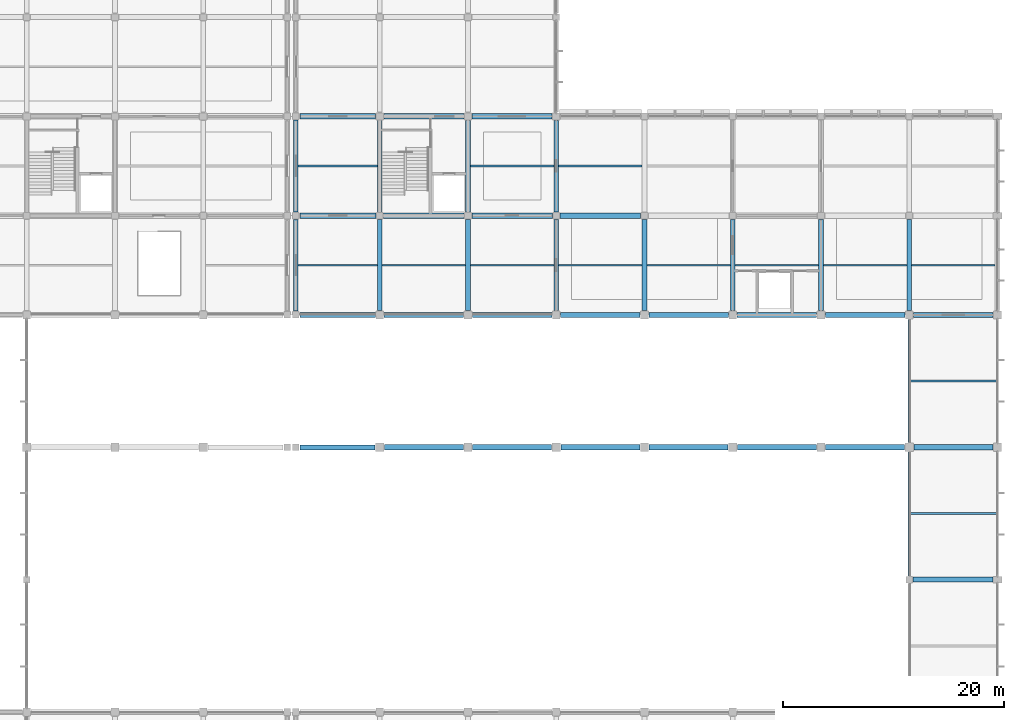
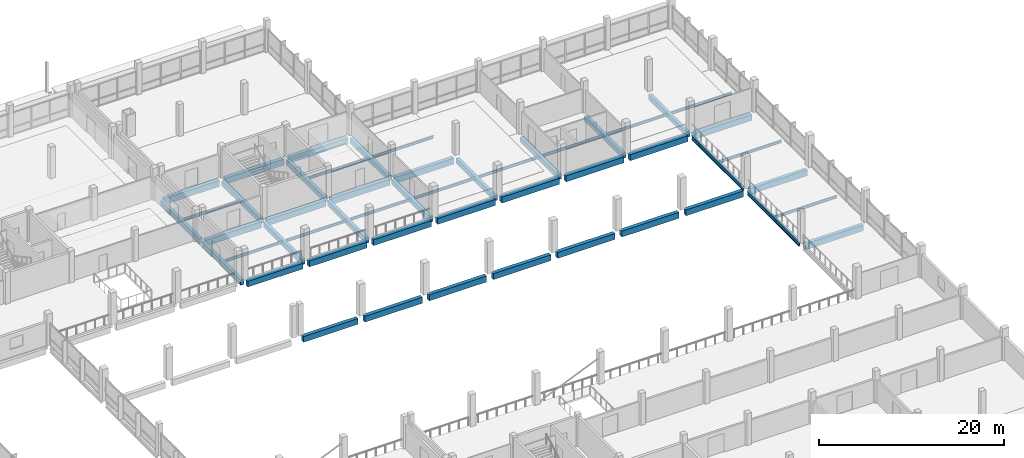
# One storey, part 26 of 57: 51 beams.
"""IFC4 building model written with IfcOpenShell, lengths in metres."""

import ifcopenshell
import ifcopenshell.guid

model = None  # the IFC model being written
_history = None  # IfcOwnerHistory: only IFC2X3 demands one
_inside = {}  # id of a spatial element -> (the spatial element, [elements in it])
_under = {}  # id of a project, library or spatial element -> (it, [spatial elements below it])
_declared = {}  # id of a project -> (the project, [libraries it declares])
_typed = {}  # id of a type object -> (the type object, [elements of that type])
_made_of = {}  # id of a material, layer set ... -> (it, [elements and type objects made of it])


def new_model(schema):
    """Start an empty IFC model of exactly this schema.

    Asked for "IFC4X3", IfcOpenShell would pick the latest addendum, in which some entities
    have other attributes; the version numbers below select the first issue.
    IFC2X3 requires an IfcOwnerHistory on every rooted entity: one is made here for all.
    """
    global model, _history
    if schema == "IFC4X3":
        model = ifcopenshell.file(schema_version=(4, 3, 0, 0))
    else:
        model = ifcopenshell.file(schema=schema)
    _inside.clear()
    _under.clear()
    _declared.clear()
    _typed.clear()
    _made_of.clear()
    _history = None
    if model.schema == "IFC2X3":
        org = make("IfcOrganization", Name="unknown")
        user = make(
            "IfcPersonAndOrganization",
            ThePerson=make("IfcPerson", FamilyName="unknown"),
            TheOrganization=org,
        )
        app = make(
            "IfcApplication",
            ApplicationDeveloper=org,
            Version="unknown",
            ApplicationFullName="unknown",
            ApplicationIdentifier="unknown",
        )
        _history = make(
            "IfcOwnerHistory",
            OwningUser=user,
            OwningApplication=app,
            ChangeAction="ADDED",
            CreationDate=0,
        )
    return model


def make(cls, **values):
    """One entity of the class cls with the attributes given. An attribute that is None is left unset."""
    return model.create_entity(
        cls, **{name: value for name, value in values.items() if value is not None}
    )


def rooted(cls, **values):
    """An entity with a GlobalId (a new one), such as an element, a storey or a relation."""
    return make(cls, GlobalId=ifcopenshell.guid.new(), OwnerHistory=_history, **values)


def si_unit(unit_type, name, prefix=None):
    """IfcSIUnit, for example si_unit("LENGTHUNIT", "METRE", prefix="MILLI")."""
    return make("IfcSIUnit", UnitType=unit_type, Prefix=prefix, Name=name)


def assignment(units):
    """IfcUnitAssignment: the units of a project."""
    return None if units is None else make("IfcUnitAssignment", Units=units)


def point(xyz):
    """IfcCartesianPoint."""
    return None if xyz is None else make("IfcCartesianPoint", Coordinates=xyz)


def direction(xyz):
    """IfcDirection."""
    return None if xyz is None else make("IfcDirection", DirectionRatios=xyz)


def frame(location, z_axis=None, x_axis=None):
    """IfcAxis2Placement3D, a coordinate frame: its origin and axes. An axis left out is left unset."""
    return make(
        "IfcAxis2Placement3D",
        Location=point(location),
        Axis=direction(z_axis),
        RefDirection=direction(x_axis),
    )


def frame_2d(location, x_axis=None):
    """IfcAxis2Placement2D, a coordinate frame in the plane: its origin and x axis."""
    return make(
        "IfcAxis2Placement2D", Location=point(location), RefDirection=direction(x_axis)
    )


def origin():
    """The frame at (0, 0, 0) with its axes left unset."""
    return frame((0.0, 0.0, 0.0))


def origin_2d():
    """The frame at (0, 0) in the plane with its x axis left unset."""
    return frame_2d((0.0, 0.0))


def place(relative_to, where):
    """IfcLocalPlacement: puts the frame where relative to a parent placement (None: the world)."""
    return make(
        "IfcLocalPlacement", PlacementRelTo=relative_to, RelativePlacement=where
    )


def context(
    kind, dimensions, precision=None, world=None, true_north=None, identifier=None
):
    """IfcGeometricRepresentationContext, for example the 3D "Model" context."""
    return make(
        "IfcGeometricRepresentationContext",
        ContextIdentifier=identifier,
        ContextType=kind,
        CoordinateSpaceDimension=dimensions,
        Precision=precision,
        WorldCoordinateSystem=world,
        TrueNorth=true_north,
    )


def subcontext(parent, identifier, kind, view, scale=None):
    """IfcGeometricRepresentationSubContext, for example "Body" below "Model"."""
    return make(
        "IfcGeometricRepresentationSubContext",
        ContextIdentifier=identifier,
        ContextType=kind,
        ParentContext=parent,
        TargetScale=scale,
        TargetView=view,
    )


def project(units=None, contexts=None):
    """IfcProject with its units and contexts."""
    return rooted(
        "IfcProject",
        Name="project",
        RepresentationContexts=contexts,
        UnitsInContext=assignment(units),
    )


def spatial(cls, under=None, at=None, **own):
    """A site, building, storey or space (cls), placed at a placement, below another one or the project."""
    s = rooted(cls, ObjectPlacement=at, **own)
    if under is not None:
        _under.setdefault(under.id(), (under, []))[1].append(s)
    return s


def profile(cls, at=None, kind="AREA", **sizes):
    """A parametric profile (cls). Its sizes go by their IFC names, for example OverallWidth=200.0."""
    return make(cls, ProfileType=kind, Position=at, **sizes)


def rectangle(**sizes):
    """IfcRectangleProfileDef."""
    return profile("IfcRectangleProfileDef", **sizes)


def i_section(**sizes):
    """IfcIShapeProfileDef."""
    return profile("IfcIShapeProfileDef", **sizes)


def extrude(swept, where, along, depth):
    """IfcExtrudedAreaSolid: the profile swept, set in the frame where, extruded along a direction by depth."""
    return make(
        "IfcExtrudedAreaSolid",
        SweptArea=swept,
        Position=where,
        ExtrudedDirection=direction(along),
        Depth=depth,
    )


def shape(context_of_items, identifier, shape_type, items):
    """IfcShapeRepresentation: the items that make up one representation, for example the "Body"."""
    return make(
        "IfcShapeRepresentation",
        ContextOfItems=context_of_items,
        RepresentationIdentifier=identifier,
        RepresentationType=shape_type,
        Items=items,
    )


def material(Name=None, Category=None):
    """IfcMaterial."""
    return make("IfcMaterial", Name=Name, Category=Category)


def material_profile(
    of_material, cross_section, Name=None, Category=None, Priority=None
):
    """IfcMaterialProfile: a cross section and its material."""
    return make(
        "IfcMaterialProfile",
        Name=Name,
        Material=of_material,
        Profile=cross_section,
        Priority=Priority,
        Category=Category,
    )


def profile_set(profiles, Name=None, composite=None):
    """IfcMaterialProfileSet."""
    return make(
        "IfcMaterialProfileSet",
        Name=Name,
        MaterialProfiles=profiles,
        CompositeProfile=composite,
    )


def made_of(thing, what):
    """Note that an element or type object is made of a material, layer set ...; save() writes the relation."""
    if what is not None:
        _made_of.setdefault(what.id(), (what, []))[1].append(thing)
    return thing


def type_object(cls, material=None, **own):
    """A type object (cls), such as IfcWallType, which elements share."""
    return made_of(rooted(cls, **own), material)


def element(
    cls,
    number,
    at=None,
    inside=None,
    cuts=None,
    type_object=None,
    material=None,
    context=None,
    identifier="Body",
    shape_type=None,
    held_by="IfcProductDefinitionShape",
    body=None,
    shapes=None,
    **own,
):
    """One element of the class cls, such as IfcWall. Its Tag is "e" and its number.

    at: its placement. inside: the storey or other place that contains it. cuts: it is an
    opening in that element (IfcRelVoidsElement). A single representation is given by context,
    identifier, shape_type and body (its items); several are given by shapes. held_by: the class
    of the entity that holds the representations. save() writes the other relations.
    """
    e = rooted(cls, Tag="e%d" % number, ObjectPlacement=at, **own)
    if body is not None:
        shapes = [shape(context, identifier, shape_type, body)]
    if shapes is not None:
        e.Representation = make(held_by, Representations=shapes)
    if inside is not None:
        _inside.setdefault(inside.id(), (inside, []))[1].append(e)
    if cuts is not None:
        rooted(
            "IfcRelVoidsElement", RelatingBuildingElement=cuts, RelatedOpeningElement=e
        )
    if type_object is not None:
        _typed.setdefault(type_object.id(), (type_object, []))[1].append(e)
    return made_of(e, material)


def aggregate(whole, parts):
    """IfcRelAggregates: a whole, such as a stair, and the parts it consists of."""
    return rooted("IfcRelAggregates", RelatingObject=whole, RelatedObjects=parts)


def save(model, path):
    """Write the relations noted so far, then the file.

    IfcRelAggregates (storeys below a building ...), IfcRelContainedInSpatialStructure (elements
    in a storey), IfcRelDefinesByType, IfcRelAssociatesMaterial and IfcRelDeclares: one each for
    every whole, place, type object, material and project.
    """
    for whole, parts in _under.values():
        aggregate(whole, parts)
    for where, things in _inside.values():
        rooted(
            "IfcRelContainedInSpatialStructure",
            RelatedElements=things,
            RelatingStructure=where,
        )
    for kind, things in _typed.values():
        rooted("IfcRelDefinesByType", RelatedObjects=things, RelatingType=kind)
    for what, things in _made_of.values():
        rooted("IfcRelAssociatesMaterial", RelatedObjects=things, RelatingMaterial=what)
    for by, libraries in _declared.values():
        rooted("IfcRelDeclares", RelatingContext=by, RelatedDefinitions=libraries)
    model.write(path)


model = new_model("IFC4")

# Units and contexts
model_context = context("Model", 3, precision=1e-05, world=origin(), true_north=direction((0.0, 1.0)))
body_context = subcontext(model_context, "Body", "Model", "MODEL_VIEW")
ifc_project = project(units=[si_unit("LENGTHUNIT", "METRE"), si_unit("AREAUNIT", "SQUARE_METRE"), si_unit("VOLUMEUNIT", "CUBIC_METRE"), si_unit("PLANEANGLEUNIT", "RADIAN"), si_unit("MASSUNIT", "GRAM", prefix="KILO"), si_unit("THERMODYNAMICTEMPERATUREUNIT", "KELVIN"), si_unit("POWERUNIT", "WATT")], contexts=[model_context])

# Site, building, storey
site_placement = place(None, origin())
site = spatial("IfcSite", under=ifc_project, at=site_placement, CompositionType="ELEMENT")
building_placement = place(site_placement, origin())
building = spatial("IfcBuilding", under=site, at=building_placement, Name="Kronsvod Quay Wholesale Market", CompositionType="ELEMENT")
storey_placement = place(building_placement, frame((0.0, 0.0, 4.800048828125)))
storey = spatial("IfcBuildingStorey", under=building, at=storey_placement, Name="L01", CompositionType="ELEMENT", Elevation=4.800048828125)

# Beams
ifc_material_1 = material(Name="Precast concrete C40/50", Category="concrete")
ifc_material_profile_1 = material_profile(ifc_material_1, rectangle(XDim=0.419921875, YDim=0.679931640625, at=origin_2d()), Name="PB-05")
ifc_profile_set_1 = profile_set([ifc_material_profile_1], Name="Precast concrete C40/50")
beam_type_1 = type_object("IfcBeamType", Name="Beam_PCB420x680", PredefinedType="BEAM", material=ifc_profile_set_1)
for number, where, z_axis, x_axis, name in (
    (1, (128.39990234375, 90.35009765625, -0.64013671875), (0.0, 1.0, 0.0), (-1.0, 0.0, 0.0), "BMY-L01-1284-900"),
    (2, (128.39990234375, 99.35009765625, -0.64013671875), (0.0, 1.0, 0.0), (-1.0, 0.0, 0.0), "BMY-L01-1284-990"),
):
    element("IfcBeam", number, at=place(storey_placement, frame(where, z_axis=z_axis, x_axis=x_axis)), inside=storey, type_object=beam_type_1, Name=name, PredefinedType="BEAM", context=body_context, shape_type="SweptSolid", body=[
        extrude(rectangle(XDim=0.419921875, YDim=0.679931640625, at=origin_2d()), origin(), (0.0, 0.0, 1.0), 8.2998046875),
    ])
beam_1_placement = place(storey_placement, frame((136.0, 90.39990234375, -0.64013671875), z_axis=(0.0, 1.0, 0.0), x_axis=(-1.0, 0.0, 0.0)))
element("IfcBeam", 3, at=beam_1_placement, inside=storey, type_object=beam_type_1, Name="BMY-L01-1360-900", PredefinedType="BEAM", context=body_context, shape_type="SweptSolid", body=[
    extrude(rectangle(XDim=0.419921875, YDim=0.679931640625, at=origin_2d()), origin(), (0.0, 0.0, 1.0), 8.25),
])
beam_2_placement = place(storey_placement, frame((136.0, 99.35009765625, -0.64013671875), z_axis=(0.0, 1.0, 0.0), x_axis=(-1.0, 0.0, 0.0)))
element("IfcBeam", 4, at=beam_2_placement, inside=storey, type_object=beam_type_1, Name="BMY-L01-1360-990", PredefinedType="BEAM", context=body_context, shape_type="SweptSolid", body=[
    extrude(rectangle(XDim=0.419921875, YDim=0.679931640625, at=origin_2d()), origin(), (0.0, 0.0, 1.0), 8.27490234375),
])
beam_3_placement = place(storey_placement, frame((144.0, 90.39990234375, -0.64013671875), z_axis=(0.0, 1.0, 0.0), x_axis=(-1.0, 0.0, 0.0)))
element("IfcBeam", 5, at=beam_3_placement, inside=storey, type_object=beam_type_1, Name="BMY-L01-1440-900", PredefinedType="BEAM", context=body_context, shape_type="SweptSolid", body=[
    extrude(rectangle(XDim=0.419921875, YDim=0.679931640625, at=origin_2d()), origin(), (0.0, 0.0, 1.0), 8.25),
])
beam_4_placement = place(storey_placement, frame((144.0, 99.35009765625, -0.64013671875), z_axis=(0.0, 1.0, 0.0), x_axis=(-1.0, 0.0, 0.0)))
element("IfcBeam", 6, at=beam_4_placement, inside=storey, type_object=beam_type_1, Name="BMY-L01-1440-990", PredefinedType="BEAM", context=body_context, shape_type="SweptSolid", body=[
    extrude(rectangle(XDim=0.419921875, YDim=0.679931640625, at=origin_2d()), origin(), (0.0, 0.0, 1.0), 8.27490234375),
])
beam_5_placement = place(storey_placement, frame((152.0, 90.39990234375, -0.64013671875), z_axis=(0.0, 1.0, 0.0), x_axis=(-1.0, 0.0, 0.0)))
element("IfcBeam", 7, at=beam_5_placement, inside=storey, type_object=beam_type_1, Name="BMY-L01-1520-900", PredefinedType="BEAM", context=body_context, shape_type="SweptSolid", body=[
    extrude(rectangle(XDim=0.419921875, YDim=0.679931640625, at=origin_2d()), origin(), (0.0, 0.0, 1.0), 8.25),
])
beam_6_placement = place(storey_placement, frame((152.0, 99.35009765625, -0.64013671875), z_axis=(0.0, 1.0, 0.0), x_axis=(-1.0, 0.0, 0.0)))
element("IfcBeam", 8, at=beam_6_placement, inside=storey, type_object=beam_type_1, Name="BMY-L01-1520-990", PredefinedType="BEAM", context=body_context, shape_type="SweptSolid", body=[
    extrude(rectangle(XDim=0.419921875, YDim=0.679931640625, at=origin_2d()), origin(), (0.0, 0.0, 1.0), 8.27490234375),
])
for number, where, z_axis, x_axis, name in (
    (9, (160.0, 90.39990234375, -0.64013671875), (0.0, 1.0, 0.0), (-1.0, 0.0, 0.0), "BMY-L01-1600-900"),
    (10, (168.0, 90.39990234375, -0.64013671875), (0.0, 1.0, 0.0), (-1.0, 0.0, 0.0), "BMY-L01-1680-900"),
    (11, (176.0, 90.39990234375, -0.64013671875), (0.0, 1.0, 0.0), (-1.0, 0.0, 0.0), "BMY-L01-1760-900"),
    (12, (184.0, 90.39990234375, -0.64013671875), (0.0, 1.0, 0.0), (-1.0, 0.0, 0.0), "BMY-L01-1840-900"),
):
    element("IfcBeam", number, at=place(storey_placement, frame(where, z_axis=z_axis, x_axis=x_axis)), inside=storey, type_object=beam_type_1, Name=name, PredefinedType="BEAM", context=body_context, shape_type="SweptSolid", body=[
        extrude(rectangle(XDim=0.419921875, YDim=0.679931640625, at=origin_2d()), origin(), (0.0, 0.0, 1.0), 8.25),
    ])
ifc_material_2 = material(Name="Precast concrete C40/50", Category="concrete")
ifc_material_profile_2 = material_profile(ifc_material_2, rectangle(XDim=0.449951171875, YDim=0.75, at=origin_2d()), Name="PCB450x750")
ifc_profile_set_2 = profile_set([ifc_material_profile_2], Name="Precast concrete C40/50")
beam_type_2 = type_object("IfcBeamType", Name="Beam_PCB450x750", PredefinedType="BEAM", material=ifc_profile_set_2)
beam_7_placement = place(storey_placement, frame((128.75, 78.0, -0.675048828125), z_axis=(1.0, 0.0, 0.0), x_axis=(0.0, 1.0, 0.0)))
element("IfcBeam", 13, at=beam_7_placement, inside=storey, type_object=beam_type_2, Name="BMX-L01-1284-780", PredefinedType="BEAM", context=body_context, shape_type="SweptSolid", body=[
    extrude(rectangle(XDim=0.449951171875, YDim=0.75, at=origin_2d()), origin(), (0.0, 0.0, 1.0), 6.824951171875),
])
beam_8_placement = place(storey_placement, frame((128.75, 90.0, -0.675048828125), z_axis=(1.0, 0.0, 0.0), x_axis=(0.0, 1.0, 0.0)))
element("IfcBeam", 14, at=beam_8_placement, inside=storey, type_object=beam_type_2, Name="BMX-L01-1284-900", PredefinedType="BEAM", context=body_context, shape_type="SweptSolid", body=[
    extrude(rectangle(XDim=0.449951171875, YDim=0.75, at=origin_2d()), origin(), (0.0, 0.0, 1.0), 6.85009765625),
])
ifc_material_3 = material(Name="Precast concrete C40/50", Category="concrete")
ifc_material_profile_3 = material_profile(ifc_material_3, rectangle(XDim=0.4599609375, YDim=0.780029296875, at=origin_2d()), Name="PB-03")
ifc_profile_set_3 = profile_set([ifc_material_profile_3], Name="Precast concrete C40/50")
beam_type_3 = type_object("IfcBeamType", Name="Beam_PCB460x780", PredefinedType="BEAM", material=ifc_profile_set_3)
beam_9_placement = place(storey_placement, frame((184.35009765625, 66.0, -0.68994140625), z_axis=(1.0, 0.0, 0.0), x_axis=(0.0, 1.0, 0.0)))
element("IfcBeam", 15, at=beam_9_placement, inside=storey, type_object=beam_type_3, Name="BMX-L01-1840-660", PredefinedType="BEAM", context=body_context, shape_type="SweptSolid", body=[
    extrude(rectangle(XDim=0.4599609375, YDim=0.780029296875, at=origin_2d()), origin(), (0.0, 0.0, 1.0), 7.25),
])
for number, where, z_axis, x_axis, name in (
    (16, (136.425048828125, 78.0, -0.68994140625), (1.0, 0.0, 0.0), (0.0, 1.0, 0.0), "BMX-L01-1360-780"),
    (17, (144.425048828125, 78.0, -0.68994140625), (1.0, 0.0, 0.0), (0.0, 1.0, 0.0), "BMX-L01-1440-780"),
    (18, (152.425048828125, 78.0, -0.68994140625), (1.0, 0.0, 0.0), (0.0, 1.0, 0.0), "BMX-L01-1520-780"),
    (19, (160.425048828125, 78.0, -0.68994140625), (1.0, 0.0, 0.0), (0.0, 1.0, 0.0), "BMX-L01-1600-780"),
    (20, (168.425048828125, 78.0, -0.68994140625), (1.0, 0.0, 0.0), (0.0, 1.0, 0.0), "BMX-L01-1680-780"),
    (21, (176.425048828125, 78.0, -0.68994140625), (1.0, 0.0, 0.0), (0.0, 1.0, 0.0), "BMX-L01-1760-780"),
    (22, (184.425048828125, 78.0, -0.68994140625), (1.0, 0.0, 0.0), (0.0, 1.0, 0.0), "BMX-L01-1840-780"),
):
    element("IfcBeam", number, at=place(storey_placement, frame(where, z_axis=z_axis, x_axis=x_axis)), inside=storey, type_object=beam_type_3, Name=name, PredefinedType="BEAM", context=body_context, shape_type="SweptSolid", body=[
        extrude(rectangle(XDim=0.4599609375, YDim=0.780029296875, at=origin_2d()), origin(), (0.0, 0.0, 1.0), 7.14990234375),
    ])
for number, where, z_axis, x_axis, name in (
    (23, (136.39990234375, 90.0, -0.68994140625), (1.0, 0.0, 0.0), (0.0, 1.0, 0.0), "BMX-L01-1360-900"),
    (24, (144.39990234375, 90.0, -0.68994140625), (1.0, 0.0, 0.0), (0.0, 1.0, 0.0), "BMX-L01-1440-900"),
    (25, (152.39990234375, 90.0, -0.68994140625), (1.0, 0.0, 0.0), (0.0, 1.0, 0.0), "BMX-L01-1520-900"),
    (26, (160.39990234375, 90.0, -0.68994140625), (1.0, 0.0, 0.0), (0.0, 1.0, 0.0), "BMX-L01-1600-900"),
    (27, (168.39990234375, 90.0, -0.68994140625), (1.0, 0.0, 0.0), (0.0, 1.0, 0.0), "BMX-L01-1680-900"),
    (28, (176.39990234375, 90.0, -0.68994140625), (1.0, 0.0, 0.0), (0.0, 1.0, 0.0), "BMX-L01-1760-900"),
    (29, (184.39990234375, 90.0, -0.68994140625), (1.0, 0.0, 0.0), (0.0, 1.0, 0.0), "BMX-L01-1840-900"),
):
    element("IfcBeam", number, at=place(storey_placement, frame(where, z_axis=z_axis, x_axis=x_axis)), inside=storey, type_object=beam_type_3, Name=name, PredefinedType="BEAM", context=body_context, shape_type="SweptSolid", body=[
        extrude(rectangle(XDim=0.4599609375, YDim=0.780029296875, at=origin_2d()), origin(), (0.0, 0.0, 1.0), 7.2001953125),
    ])
ifc_material_4 = material(Name="Precast concrete C40/50", Category="concrete")
ifc_material_profile_4 = material_profile(ifc_material_4, rectangle(XDim=0.47998046875, YDim=0.800048828125, at=origin_2d()), Name="PB-04")
ifc_profile_set_4 = profile_set([ifc_material_profile_4], Name="Precast concrete C40/50")
beam_type_4 = type_object("IfcBeamType", Name="Beam_PCB480x800", PredefinedType="BEAM", material=ifc_profile_set_4)
beam_10_placement = place(storey_placement, frame((128.75, 99.0, -0.699951171875), z_axis=(1.0, 0.0, 0.0), x_axis=(0.0, 1.0, 0.0)))
element("IfcBeam", 30, at=beam_10_placement, inside=storey, type_object=beam_type_4, Name="BMX-L01-1284-990", PredefinedType="BEAM", context=body_context, shape_type="SweptSolid", body=[
    extrude(rectangle(XDim=0.47998046875, YDim=0.800048828125, at=origin_2d()), origin(), (0.0, 0.0, 1.0), 6.89990234375),
])
for number, where, z_axis, x_axis, name in (
    (31, (136.35009765625, 99.0, -0.699951171875), (1.0, 0.0, 0.0), (0.0, 1.0, 0.0), "BMX-L01-1360-990"),
    (32, (144.35009765625, 99.0, -0.699951171875), (1.0, 0.0, 0.0), (0.0, 1.0, 0.0), "BMX-L01-1440-990"),
    (33, (152.35009765625, 99.0, -0.699951171875), (1.0, 0.0, 0.0), (0.0, 1.0, 0.0), "BMX-L01-1520-990"),
):
    element("IfcBeam", number, at=place(storey_placement, frame(where, z_axis=z_axis, x_axis=x_axis)), inside=storey, type_object=beam_type_4, Name=name, PredefinedType="BEAM", context=body_context, shape_type="SweptSolid", body=[
        extrude(rectangle(XDim=0.47998046875, YDim=0.800048828125, at=origin_2d()), origin(), (0.0, 0.0, 1.0), 7.2998046875),
    ])
beam_11_placement = place(storey_placement, frame((128.75, 108.0, -0.699951171875), z_axis=(1.0, 0.0, 0.0), x_axis=(0.0, 1.0, 0.0)))
element("IfcBeam", 34, at=beam_11_placement, inside=storey, type_object=beam_type_4, Name="BMX-L01-1284-1080", PredefinedType="BEAM", context=body_context, shape_type="SweptSolid", body=[
    extrude(rectangle(XDim=0.47998046875, YDim=0.800048828125, at=origin_2d()), origin(), (0.0, 0.0, 1.0), 6.875),
])
for number, where, z_axis, x_axis, name in (
    (35, (136.375, 108.0, -0.699951171875), (1.0, 0.0, 0.0), (0.0, 1.0, 0.0), "BMX-L01-1360-1080"),
    (36, (144.375, 108.0, -0.699951171875), (1.0, 0.0, 0.0), (0.0, 1.0, 0.0), "BMX-L01-1440-1080"),
):
    element("IfcBeam", number, at=place(storey_placement, frame(where, z_axis=z_axis, x_axis=x_axis)), inside=storey, type_object=beam_type_4, Name=name, PredefinedType="BEAM", context=body_context, shape_type="SweptSolid", body=[
        extrude(rectangle(XDim=0.47998046875, YDim=0.800048828125, at=origin_2d()), origin(), (0.0, 0.0, 1.0), 7.25),
    ])
ifc_material_5 = material(Name="Steel S355", Category="steel")
ifc_material_profile_5 = material_profile(ifc_material_5, i_section(OverallWidth=0.198974609375, OverallDepth=0.49609375, WebThickness=0.009033203125, FlangeThickness=0.013916015625, FilletRadius=0.02001953125, at=origin_2d()), Name="50B1")
ifc_profile_set_5 = profile_set([ifc_material_profile_5], Name="Steel S355")
beam_type_5 = type_object("IfcBeamType", Name="Girder_Steel50B1", PredefinedType="T_BEAM", material=ifc_profile_set_5)
beam_12_placement = place(storey_placement, frame((184.0, 66.35009765625, -0.548095703125), z_axis=(0.0, 1.0, 0.0), x_axis=(-1.0, 0.0, 0.0)))
element("IfcBeam", 37, at=beam_12_placement, inside=storey, type_object=beam_type_5, Name="BMY-L01-1840-660", PredefinedType="T_BEAM", context=body_context, shape_type="SweptSolid", body=[
    extrude(i_section(OverallWidth=0.198974609375, OverallDepth=0.49609375, WebThickness=0.009033203125, FlangeThickness=0.013916015625, FilletRadius=0.02001953125, at=origin_2d()), origin(), (0.0, 0.0, 1.0), 11.224853515625),
])
beam_13_placement = place(storey_placement, frame((184.0, 78.425048828125, -0.548095703125), z_axis=(0.0, 1.0, 0.0), x_axis=(-1.0, 0.0, 0.0)))
element("IfcBeam", 38, at=beam_13_placement, inside=storey, type_object=beam_type_5, Name="BMY-L01-1840-780", PredefinedType="T_BEAM", context=body_context, shape_type="SweptSolid", body=[
    extrude(i_section(OverallWidth=0.198974609375, OverallDepth=0.49609375, WebThickness=0.009033203125, FlangeThickness=0.013916015625, FilletRadius=0.02001953125, at=origin_2d()), origin(), (0.0, 0.0, 1.0), 11.175048828125),
])
ifc_material_6 = material(Name="Steel S355", Category="steel")
ifc_material_profile_6 = material_profile(ifc_material_6, i_section(OverallWidth=0.175048828125, OverallDepth=0.35009765625, WebThickness=0.007080078125, FlangeThickness=0.010986328125, FilletRadius=0.013916015625, at=origin_2d()), Name="35B2")
ifc_profile_set_6 = profile_set([ifc_material_profile_6], Name="Steel S355")
beam_type_6 = type_object("IfcBeamType", Name="Joist_Steel35B2", PredefinedType="JOIST", material=ifc_profile_set_6)
for number, where, z_axis, x_axis, name in (
    (39, (128.60498046875, 94.5, -0.405029296875), (1.0, 0.0, 0.0), (0.0, 1.0, 0.0), "JSTX-L01-1284-900"),
    (40, (128.60498046875, 103.5, -0.425048828125), (1.0, 0.0, 0.0), (0.0, 1.0, 0.0), "JSTX-L01-1284-990"),
):
    element("IfcBeam", number, at=place(storey_placement, frame(where, z_axis=z_axis, x_axis=x_axis)), inside=storey, type_object=beam_type_6, Name=name, PredefinedType="JOIST", context=body_context, shape_type="SweptSolid", body=[
        extrude(i_section(OverallWidth=0.175048828125, OverallDepth=0.35009765625, WebThickness=0.007080078125, FlangeThickness=0.010986328125, FilletRadius=0.013916015625, at=origin_2d()), origin(), (0.0, 0.0, 1.0), 7.18994140625),
    ])
for number, where, z_axis, x_axis, name in (
    (41, (136.205078125, 94.5, -0.405029296875), (1.0, 0.0, 0.0), (0.0, 1.0, 0.0), "JSTX-L01-1360-900"),
    (42, (144.205078125, 94.5, -0.405029296875), (1.0, 0.0, 0.0), (0.0, 1.0, 0.0), "JSTX-L01-1440-900"),
    (43, (144.205078125, 103.5, -0.425048828125), (1.0, 0.0, 0.0), (0.0, 1.0, 0.0), "JSTX-L01-1440-990"),
    (44, (152.205078125, 94.5, -0.405029296875), (1.0, 0.0, 0.0), (0.0, 1.0, 0.0), "JSTX-L01-1520-900"),
    (45, (152.205078125, 103.5, -0.425048828125), (1.0, 0.0, 0.0), (0.0, 1.0, 0.0), "JSTX-L01-1520-990"),
    (46, (160.205078125, 94.5, -0.405029296875), (1.0, 0.0, 0.0), (0.0, 1.0, 0.0), "JSTX-L01-1600-900"),
    (47, (168.205078125, 94.5, -0.405029296875), (1.0, 0.0, 0.0), (0.0, 1.0, 0.0), "JSTX-L01-1680-900"),
    (48, (176.205078125, 94.5, -0.405029296875), (1.0, 0.0, 0.0), (0.0, 1.0, 0.0), "JSTX-L01-1760-900"),
):
    element("IfcBeam", number, at=place(storey_placement, frame(where, z_axis=z_axis, x_axis=x_axis)), inside=storey, type_object=beam_type_6, Name=name, PredefinedType="JOIST", context=body_context, shape_type="SweptSolid", body=[
        extrude(i_section(OverallWidth=0.175048828125, OverallDepth=0.35009765625, WebThickness=0.007080078125, FlangeThickness=0.010986328125, FilletRadius=0.013916015625, at=origin_2d()), origin(), (0.0, 0.0, 1.0), 7.58984375),
    ])
for number, where, z_axis, x_axis, name in (
    (49, (184.094482421875, 72.0, -0.425048828125), (1.0, 0.0, 0.0), (0.0, 1.0, 0.0), "JSTX-L01-1840-660"),
    (50, (184.094482421875, 84.0, -0.425048828125), (1.0, 0.0, 0.0), (0.0, 1.0, 0.0), "JSTX-L01-1840-780"),
):
    element("IfcBeam", number, at=place(storey_placement, frame(where, z_axis=z_axis, x_axis=x_axis)), inside=storey, type_object=beam_type_6, Name=name, PredefinedType="JOIST", context=body_context, shape_type="SweptSolid", body=[
        extrude(i_section(OverallWidth=0.175048828125, OverallDepth=0.35009765625, WebThickness=0.007080078125, FlangeThickness=0.010986328125, FilletRadius=0.013916015625, at=origin_2d()), origin(), (0.0, 0.0, 1.0), 7.81103515625),
    ])
beam_14_placement = place(storey_placement, frame((184.205078125, 94.5, -0.405029296875), z_axis=(1.0, 0.0, 0.0), x_axis=(0.0, 1.0, 0.0)))
element("IfcBeam", 51, at=beam_14_placement, inside=storey, type_object=beam_type_6, Name="JSTX-L01-1840-900", PredefinedType="JOIST", context=body_context, shape_type="SweptSolid", body=[
    extrude(i_section(OverallWidth=0.175048828125, OverallDepth=0.35009765625, WebThickness=0.007080078125, FlangeThickness=0.010986328125, FilletRadius=0.013916015625, at=origin_2d()), origin(), (0.0, 0.0, 1.0), 7.58984375),
])

save(model, "model.ifc")
